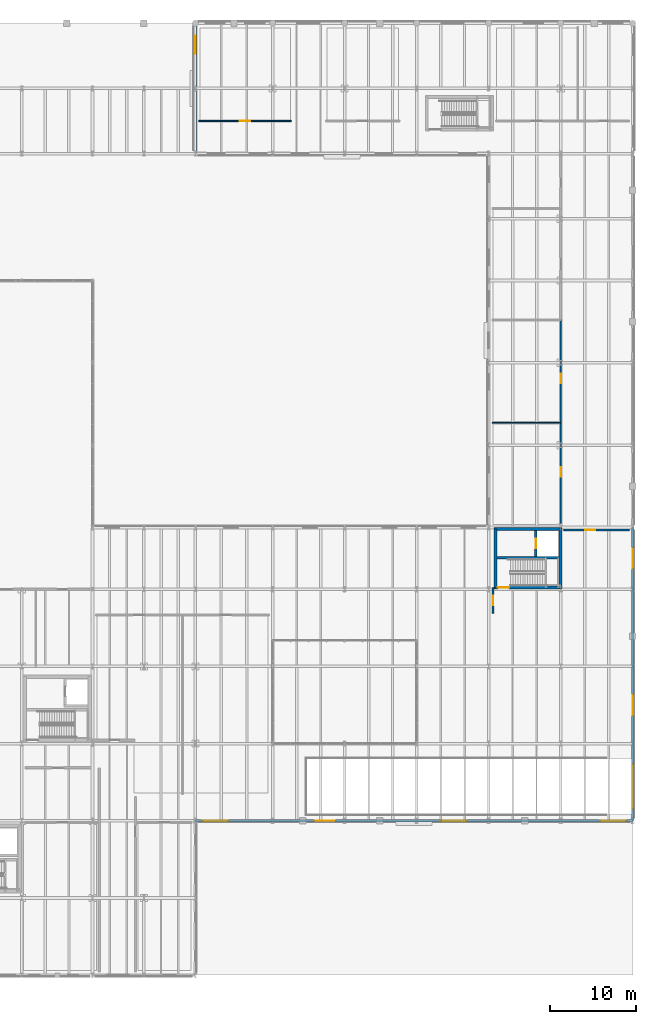
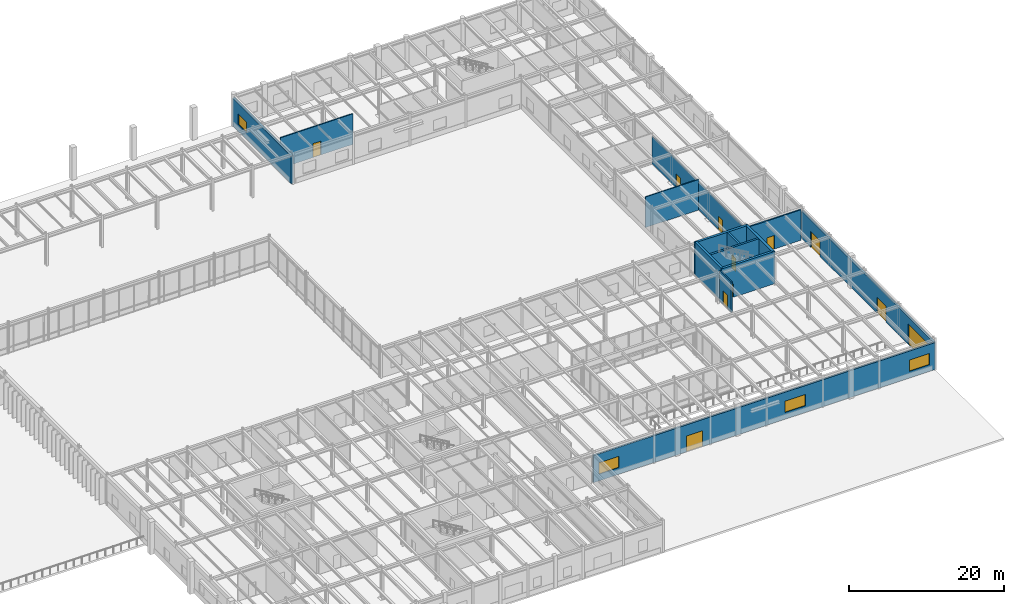
# One storey, part 45 of 64: 15 walls, 11 doors, 4 windows, 15 openings.
"""IFC4 building model written with IfcOpenShell, lengths in metres."""

import ifcopenshell
import ifcopenshell.guid

model = None  # the IFC model being written
_history = None  # IfcOwnerHistory: only IFC2X3 demands one
_inside = {}  # id of a spatial element -> (the spatial element, [elements in it])
_under = {}  # id of a project, library or spatial element -> (it, [spatial elements below it])
_declared = {}  # id of a project -> (the project, [libraries it declares])
_typed = {}  # id of a type object -> (the type object, [elements of that type])
_made_of = {}  # id of a material, layer set ... -> (it, [elements and type objects made of it])


def new_model(schema):
    """Start an empty IFC model of exactly this schema.

    Asked for "IFC4X3", IfcOpenShell would pick the latest addendum, in which some entities
    have other attributes; the version numbers below select the first issue.
    IFC2X3 requires an IfcOwnerHistory on every rooted entity: one is made here for all.
    """
    global model, _history
    if schema == "IFC4X3":
        model = ifcopenshell.file(schema_version=(4, 3, 0, 0))
    else:
        model = ifcopenshell.file(schema=schema)
    _inside.clear()
    _under.clear()
    _declared.clear()
    _typed.clear()
    _made_of.clear()
    _history = None
    if model.schema == "IFC2X3":
        org = make("IfcOrganization", Name="unknown")
        user = make(
            "IfcPersonAndOrganization",
            ThePerson=make("IfcPerson", FamilyName="unknown"),
            TheOrganization=org,
        )
        app = make(
            "IfcApplication",
            ApplicationDeveloper=org,
            Version="unknown",
            ApplicationFullName="unknown",
            ApplicationIdentifier="unknown",
        )
        _history = make(
            "IfcOwnerHistory",
            OwningUser=user,
            OwningApplication=app,
            ChangeAction="ADDED",
            CreationDate=0,
        )
    return model


def make(cls, **values):
    """One entity of the class cls with the attributes given. An attribute that is None is left unset."""
    return model.create_entity(
        cls, **{name: value for name, value in values.items() if value is not None}
    )


def rooted(cls, **values):
    """An entity with a GlobalId (a new one), such as an element, a storey or a relation."""
    return make(cls, GlobalId=ifcopenshell.guid.new(), OwnerHistory=_history, **values)


def si_unit(unit_type, name, prefix=None):
    """IfcSIUnit, for example si_unit("LENGTHUNIT", "METRE", prefix="MILLI")."""
    return make("IfcSIUnit", UnitType=unit_type, Prefix=prefix, Name=name)


def assignment(units):
    """IfcUnitAssignment: the units of a project."""
    return None if units is None else make("IfcUnitAssignment", Units=units)


def point(xyz):
    """IfcCartesianPoint."""
    return None if xyz is None else make("IfcCartesianPoint", Coordinates=xyz)


def direction(xyz):
    """IfcDirection."""
    return None if xyz is None else make("IfcDirection", DirectionRatios=xyz)


def frame(location, z_axis=None, x_axis=None):
    """IfcAxis2Placement3D, a coordinate frame: its origin and axes. An axis left out is left unset."""
    return make(
        "IfcAxis2Placement3D",
        Location=point(location),
        Axis=direction(z_axis),
        RefDirection=direction(x_axis),
    )


def frame_2d(location, x_axis=None):
    """IfcAxis2Placement2D, a coordinate frame in the plane: its origin and x axis."""
    return make(
        "IfcAxis2Placement2D", Location=point(location), RefDirection=direction(x_axis)
    )


def origin():
    """The frame at (0, 0, 0) with its axes left unset."""
    return frame((0.0, 0.0, 0.0))


def place(relative_to, where):
    """IfcLocalPlacement: puts the frame where relative to a parent placement (None: the world)."""
    return make(
        "IfcLocalPlacement", PlacementRelTo=relative_to, RelativePlacement=where
    )


def context(
    kind, dimensions, precision=None, world=None, true_north=None, identifier=None
):
    """IfcGeometricRepresentationContext, for example the 3D "Model" context."""
    return make(
        "IfcGeometricRepresentationContext",
        ContextIdentifier=identifier,
        ContextType=kind,
        CoordinateSpaceDimension=dimensions,
        Precision=precision,
        WorldCoordinateSystem=world,
        TrueNorth=true_north,
    )


def subcontext(parent, identifier, kind, view, scale=None):
    """IfcGeometricRepresentationSubContext, for example "Body" below "Model"."""
    return make(
        "IfcGeometricRepresentationSubContext",
        ContextIdentifier=identifier,
        ContextType=kind,
        ParentContext=parent,
        TargetScale=scale,
        TargetView=view,
    )


def project(units=None, contexts=None):
    """IfcProject with its units and contexts."""
    return rooted(
        "IfcProject",
        Name="project",
        RepresentationContexts=contexts,
        UnitsInContext=assignment(units),
    )


def spatial(cls, under=None, at=None, **own):
    """A site, building, storey or space (cls), placed at a placement, below another one or the project."""
    s = rooted(cls, ObjectPlacement=at, **own)
    if under is not None:
        _under.setdefault(under.id(), (under, []))[1].append(s)
    return s


def profile(cls, at=None, kind="AREA", **sizes):
    """A parametric profile (cls). Its sizes go by their IFC names, for example OverallWidth=200.0."""
    return make(cls, ProfileType=kind, Position=at, **sizes)


def rectangle(**sizes):
    """IfcRectangleProfileDef."""
    return profile("IfcRectangleProfileDef", **sizes)


def extrude(swept, where, along, depth):
    """IfcExtrudedAreaSolid: the profile swept, set in the frame where, extruded along a direction by depth."""
    return make(
        "IfcExtrudedAreaSolid",
        SweptArea=swept,
        Position=where,
        ExtrudedDirection=direction(along),
        Depth=depth,
    )


def shape(context_of_items, identifier, shape_type, items):
    """IfcShapeRepresentation: the items that make up one representation, for example the "Body"."""
    return make(
        "IfcShapeRepresentation",
        ContextOfItems=context_of_items,
        RepresentationIdentifier=identifier,
        RepresentationType=shape_type,
        Items=items,
    )


def material(Name=None, Category=None):
    """IfcMaterial."""
    return make("IfcMaterial", Name=Name, Category=Category)


def layer(
    of_material, thickness, ventilated=None, Name=None, Category=None, Priority=None
):
    """IfcMaterialLayer: one layer of a wall or slab, of a material (None: an air gap)."""
    return make(
        "IfcMaterialLayer",
        Material=of_material,
        LayerThickness=thickness,
        IsVentilated=ventilated,
        Name=Name,
        Category=Category,
        Priority=Priority,
    )


def layer_set(layers, Name=None):
    """IfcMaterialLayerSet."""
    return make("IfcMaterialLayerSet", MaterialLayers=layers, LayerSetName=Name)


def made_of(thing, what):
    """Note that an element or type object is made of a material, layer set ...; save() writes the relation."""
    if what is not None:
        _made_of.setdefault(what.id(), (what, []))[1].append(thing)
    return thing


def type_object(cls, material=None, **own):
    """A type object (cls), such as IfcWallType, which elements share."""
    return made_of(rooted(cls, **own), material)


def element(
    cls,
    number,
    at=None,
    inside=None,
    cuts=None,
    type_object=None,
    material=None,
    context=None,
    identifier="Body",
    shape_type=None,
    held_by="IfcProductDefinitionShape",
    body=None,
    shapes=None,
    **own,
):
    """One element of the class cls, such as IfcWall. Its Tag is "e" and its number.

    at: its placement. inside: the storey or other place that contains it. cuts: it is an
    opening in that element (IfcRelVoidsElement). A single representation is given by context,
    identifier, shape_type and body (its items); several are given by shapes. held_by: the class
    of the entity that holds the representations. save() writes the other relations.
    """
    e = rooted(cls, Tag="e%d" % number, ObjectPlacement=at, **own)
    if body is not None:
        shapes = [shape(context, identifier, shape_type, body)]
    if shapes is not None:
        e.Representation = make(held_by, Representations=shapes)
    if inside is not None:
        _inside.setdefault(inside.id(), (inside, []))[1].append(e)
    if cuts is not None:
        rooted(
            "IfcRelVoidsElement", RelatingBuildingElement=cuts, RelatedOpeningElement=e
        )
    if type_object is not None:
        _typed.setdefault(type_object.id(), (type_object, []))[1].append(e)
    return made_of(e, material)


def fill(opening, filler):
    """IfcRelFillsElement: the door or window that sits in an opening."""
    return rooted(
        "IfcRelFillsElement",
        RelatingOpeningElement=opening,
        RelatedBuildingElement=filler,
    )


def aggregate(whole, parts):
    """IfcRelAggregates: a whole, such as a stair, and the parts it consists of."""
    return rooted("IfcRelAggregates", RelatingObject=whole, RelatedObjects=parts)


def save(model, path):
    """Write the relations noted so far, then the file.

    IfcRelAggregates (storeys below a building ...), IfcRelContainedInSpatialStructure (elements
    in a storey), IfcRelDefinesByType, IfcRelAssociatesMaterial and IfcRelDeclares: one each for
    every whole, place, type object, material and project.
    """
    for whole, parts in _under.values():
        aggregate(whole, parts)
    for where, things in _inside.values():
        rooted(
            "IfcRelContainedInSpatialStructure",
            RelatedElements=things,
            RelatingStructure=where,
        )
    for kind, things in _typed.values():
        rooted("IfcRelDefinesByType", RelatedObjects=things, RelatingType=kind)
    for what, things in _made_of.values():
        rooted("IfcRelAssociatesMaterial", RelatedObjects=things, RelatingMaterial=what)
    for by, libraries in _declared.values():
        rooted("IfcRelDeclares", RelatingContext=by, RelatedDefinitions=libraries)
    model.write(path)


model = new_model("IFC4")

# Units and contexts
model_context = context("Model", 3, precision=1e-05, world=origin(), true_north=direction((0.0, 1.0)))
body_context = subcontext(model_context, "Body", "Model", "MODEL_VIEW")
ifc_project = project(units=[si_unit("LENGTHUNIT", "METRE"), si_unit("AREAUNIT", "SQUARE_METRE"), si_unit("VOLUMEUNIT", "CUBIC_METRE"), si_unit("PLANEANGLEUNIT", "RADIAN"), si_unit("MASSUNIT", "GRAM", prefix="KILO")], contexts=[model_context])

# Site, building, storey
site_placement = place(None, origin())
site = spatial("IfcSite", under=ifc_project, at=site_placement, CompositionType="ELEMENT")
building_placement = place(site_placement, origin())
building = spatial("IfcBuilding", under=site, at=building_placement, Name="Montealbar Specialist Clinic", CompositionType="ELEMENT")
storey_placement = place(building_placement, origin())
storey = spatial("IfcBuildingStorey", under=building, at=storey_placement, Name="L00", CompositionType="ELEMENT", Elevation=0.0)

# Wall
ifc_material_1 = material(Name="Concrete C35/45", Category="concrete")
ifc_layer_1 = layer(ifc_material_1, 0.300048828125, Name="Concrete C35/45", Category="concrete")
ifc_layer_set_1 = layer_set([ifc_layer_1], Name="Concrete C35/45")
wall_type_1 = type_object("IfcWallType", Name="WL-CORE-300", PredefinedType="SHEAR", material=ifc_layer_set_1)
wall_1_placement = place(storey_placement, frame((146.175048828125, 48.64990234375, 0.0), z_axis=(0.0, 0.0, 1.0), x_axis=(1.0, 0.0, 0.0)))
element("IfcWall", 1, at=wall_1_placement, inside=storey, type_object=wall_type_1, Name="Core C6 Stairwell Wall L00", PredefinedType="SHEAR", context=body_context, shape_type="SweptSolid", body=[
    extrude(rectangle(XDim=7.25, YDim=0.300048828125, at=frame_2d((3.625, 0.0))), origin(), (0.0, 0.0, 1.0), 5.10009765625),
])

# Wall, opening, door
wall_2_placement = place(storey_placement, frame((150.699951171875, 48.800048828125, 0.0), z_axis=(0.0, 0.0, 1.0), x_axis=(0.0, 1.0, 0.0)))
wall_2 = element("IfcWall", 2, at=wall_2_placement, inside=storey, type_object=wall_type_1, Name="Lift LF-04 Shaft Wall L00 LW", PredefinedType="SHEAR", context=body_context, shape_type="SweptSolid", body=[
    extrude(rectangle(XDim=3.02490234375, YDim=0.300048828125, at=frame_2d((1.512451171875, 0.0))), origin(), (0.0, 0.0, 1.0), 5.10009765625),
])
opening_1_placement = place(wall_2_placement, frame((0.962890625, 0.0, 0.0)))
opening_1 = element("IfcOpeningElement", 3, at=opening_1_placement, cuts=wall_2, Name="Opening LD-11", PredefinedType="OPENING", context=body_context, shape_type="SweptSolid", body=[
    extrude(rectangle(XDim=1.10009765625, YDim=2.14990234375, at=frame_2d((0.550048828125, 1.074951171875))), frame((0.0, 0.159912109375, 0.0), z_axis=(0.0, -1.0, 0.0), x_axis=(1.0, 0.0, 0.0)), (0.0, 0.0, 1.0), 0.320068359375),
])
ifc_material_2 = material(Name="Steel S355", Category="steel")
door_type_1 = type_object("IfcDoorType", Name="DR-LIFT-LD1100", OperationType="DOUBLE_DOOR_SLIDING", PredefinedType="DOOR", material=ifc_material_2)
door_1_placement = place(opening_1_placement, origin())
door_1 = element("IfcDoor", 4, at=door_1_placement, inside=storey, type_object=door_type_1, Name="Lift LF-04 Sliding Landing Door L00", OperationType="DOUBLE_DOOR_SLIDING", OverallHeight=2.14990234375, OverallWidth=1.10009765625, PredefinedType="DOOR", context=body_context, shape_type="SweptSolid", body=[
    extrude(rectangle(XDim=1.10009765625, YDim=2.14990234375, at=frame_2d((0.550048828125, 1.074951171875))), frame((0.0, 0.02490234375, 0.0), z_axis=(0.0, -1.0, 0.0), x_axis=(1.0, 0.0, 0.0)), (0.0, 0.0, 1.0), 0.050048828125),
])
fill(opening_1, door_1)

ifc_layer_2 = layer(ifc_material_1, 0.35009765625, Name="Concrete C35/45", Category="concrete")
ifc_layer_set_2 = layer_set([ifc_layer_2], Name="Concrete C35/45")
wall_type_2 = type_object("IfcWallType", Name="WL-CORE-350", PredefinedType="SHEAR", material=ifc_layer_set_2)
wall_3_placement = place(storey_placement, frame((145.824951171875, 45.199951171875, 0.0), z_axis=(0.0, 0.0, 1.0), x_axis=(1.0, 0.0, 0.0)))
wall_3 = element("IfcWall", 5, at=wall_3_placement, inside=storey, type_object=wall_type_2, Name="Core C6 Shear Wall L00 S", PredefinedType="SHEAR", context=body_context, shape_type="SweptSolid", body=[
    extrude(rectangle(XDim=7.949951171875, YDim=0.35009765625, at=frame_2d((3.97509765625, 0.0))), origin(), (0.0, 0.0, 1.0), 5.10009765625),
])
opening_2_placement = place(wall_3_placement, frame((0.449951171875, 0.0, 0.0)))
opening_2 = element("IfcOpeningElement", 6, at=opening_2_placement, cuts=wall_3, Name="Opening SD-13", PredefinedType="OPENING", context=body_context, shape_type="SweptSolid", body=[
    extrude(rectangle(XDim=1.300048828125, YDim=2.14990234375, at=frame_2d((0.64990234375, 1.074951171875))), frame((0.0, 0.18505859375, 0.0), z_axis=(0.0, -1.0, 0.0), x_axis=(1.0, 0.0, 0.0)), (0.0, 0.0, 1.0), 0.3701171875),
])
door_type_2 = type_object("IfcDoorType", Name="DR-STAIR-W1300", OperationType="NOTDEFINED", PredefinedType="DOOR", material=ifc_material_2)
door_2_placement = place(opening_2_placement, frame((1.300048828125, 0.0, 0.0), z_axis=(0.0, 0.0, 1.0), x_axis=(-1.0, 0.0, 0.0)))
door_2 = element("IfcDoor", 7, at=door_2_placement, inside=storey, type_object=door_type_2, Name="Protected Core C6 Stair Fire Door L00", OperationType="SINGLE_SWING_LEFT", OverallHeight=2.14990234375, OverallWidth=1.300048828125, PredefinedType="DOOR", context=body_context, shape_type="SweptSolid", body=[
    extrude(rectangle(XDim=1.300048828125, YDim=2.14990234375, at=frame_2d((0.64990234375, 1.074951171875))), frame((0.0, 0.02490234375, 0.0), z_axis=(0.0, -1.0, 0.0), x_axis=(1.0, 0.0, 0.0)), (0.0, 0.0, 1.0), 0.050048828125),
])
fill(opening_2, door_2)

# Walls
wall_4_placement = place(storey_placement, frame((145.824951171875, 52.0, 0.0), z_axis=(0.0, 0.0, 1.0), x_axis=(1.0, 0.0, 0.0)))
element("IfcWall", 8, at=wall_4_placement, inside=storey, type_object=wall_type_2, Name="Core C6 Shear Wall L00 N", PredefinedType="SHEAR", context=body_context, shape_type="SweptSolid", body=[
    extrude(rectangle(XDim=7.949951171875, YDim=0.35009765625, at=frame_2d((3.97509765625, 0.0))), origin(), (0.0, 0.0, 1.0), 5.10009765625),
])
for number, where, z_axis, x_axis, name in (
    (9, (146.0, 45.199951171875, 0.0), (0.0, 0.0, 1.0), (0.0, 1.0, 0.0), "Core C6 Shear Wall L00 W"),
    (10, (153.60009765625, 45.199951171875, 0.0), (0.0, 0.0, 1.0), (0.0, 1.0, 0.0), "Core C6 Shear Wall L00 E"),
):
    element("IfcWall", number, at=place(storey_placement, frame(where, z_axis=z_axis, x_axis=x_axis)), inside=storey, type_object=wall_type_2, Name=name, PredefinedType="SHEAR", context=body_context, shape_type="SweptSolid", body=[
        extrude(rectangle(XDim=6.800048828125, YDim=0.35009765625, at=frame_2d((3.39990234375, 0.0))), origin(), (0.0, 0.0, 1.0), 5.10009765625),
    ])

# Wall, opening, window
ifc_material_3 = material(Name="Guadarrama granite ashlar", Category="masonry")
ifc_layer_3 = layer(ifc_material_3, 0.35009765625, Name="Guadarrama granite ashlar", Category="masonry")
ifc_layer_set_3 = layer_set([ifc_layer_3], Name="Guadarrama granite ashlar")
wall_type_3 = type_object("IfcWallType", Name="WL-EXT-GRANITE-350", PredefinedType="SOLIDWALL", material=ifc_layer_set_3)
wall_5_placement = place(storey_placement, frame((111.0, 95.800048828125, 0.0), z_axis=(0.0, 0.0, 1.0), x_axis=(0.0, 1.0, 0.0)))
wall_5 = element("IfcWall", 11, at=wall_5_placement, inside=storey, type_object=wall_type_3, Name="Exterior Facade Wall EW-L00-007", PredefinedType="SOLIDWALL", context=body_context, shape_type="SweptSolid", body=[
    extrude(rectangle(XDim=15.199951171875, YDim=0.35009765625, at=frame_2d((7.60009765625, 0.0))), origin(), (0.0, 0.0, 1.0), 4.360107421875),
])
opening_3_placement = place(wall_5_placement, frame((11.616943359375, 0.0, 1.050048828125)))
opening_3 = element("IfcOpeningElement", 12, at=opening_3_placement, cuts=wall_5, Name="Opening WN-07", PredefinedType="OPENING", context=body_context, shape_type="SweptSolid", body=[
    extrude(rectangle(XDim=2.10009765625, YDim=1.699951171875, at=frame_2d((1.050048828125, 0.85009765625))), frame((0.0, 0.18505859375, 0.0), z_axis=(0.0, -1.0, 0.0), x_axis=(1.0, 0.0, 0.0)), (0.0, 0.0, 1.0), 0.3701171875),
])
ifc_material_4 = material(Name="Low-E double glazing", Category="glass")
window_type_1 = type_object("IfcWindowType", Name="WIN-WN-07", PartitioningType="SINGLE_PANEL", PredefinedType="WINDOW", material=ifc_material_4)
window_1_placement = place(opening_3_placement, origin())
window_1 = element("IfcWindow", 13, at=window_1_placement, inside=storey, type_object=window_type_1, Name="Clinical Facade Window WN-07 L00-0027", OverallHeight=1.699951171875, OverallWidth=2.10009765625, PartitioningType="SINGLE_PANEL", PredefinedType="WINDOW", context=body_context, shape_type="SweptSolid", body=[
    extrude(rectangle(XDim=2.10009765625, YDim=1.699951171875, at=frame_2d((1.050048828125, 0.85009765625))), frame((0.0, 0.030029296875, 0.0), z_axis=(0.0, -1.0, 0.0), x_axis=(1.0, 0.0, 0.0)), (0.0, 0.0, 1.0), 0.06005859375),
])
fill(opening_3, window_1)

# Wall, openings, doors
ifc_material_5 = material(Name="Terracotta architectural cladding", Category="masonry")
ifc_layer_4 = layer(ifc_material_5, 0.260009765625, Name="Terracotta architectural cladding", Category="masonry")
ifc_layer_set_4 = layer_set([ifc_layer_4], Name="Terracotta architectural cladding")
wall_type_4 = type_object("IfcWallType", Name="WL-EXT-TERRA-260", PredefinedType="SOLIDWALL", material=ifc_layer_set_4)
wall_6_placement = place(storey_placement, frame((162.0, 52.199951171875, 0.0), z_axis=(0.0, 0.0, 1.0), x_axis=(0.0, -1.0, 0.0)))
wall_6 = element("IfcWall", 14, at=wall_6_placement, inside=storey, type_object=wall_type_4, Name="Exterior Facade Wall EW-L00-011", PredefinedType="SOLIDWALL", context=body_context, shape_type="SweptSolid", body=[
    extrude(rectangle(XDim=34.199951171875, YDim=0.260009765625, at=frame_2d((17.10009765625, 0.0))), origin(), (0.0, 0.0, 1.0), 4.31005859375),
])
opening_4_placement = place(wall_6_placement, frame((27.60009765625, 0.0, 0.0)))
opening_4 = element("IfcOpeningElement", 15, at=opening_4_placement, cuts=wall_6, Name="Opening GD-01", PredefinedType="OPENING", context=body_context, shape_type="SweptSolid", body=[
    extrude(rectangle(XDim=5.199951171875, YDim=3.199951171875, at=frame_2d((2.60009765625, 1.60009765625))), frame((0.0, 0.139892578125, 0.0), z_axis=(0.0, -1.0, 0.0), x_axis=(1.0, 0.0, 0.0)), (0.0, 0.0, 1.0), 0.280029296875),
])
opening_5_placement = place(wall_6_placement, frame((19.5, 0.0, 0.0)))
opening_5 = element("IfcOpeningElement", 16, at=opening_5_placement, cuts=wall_6, Name="Opening ED-24", PredefinedType="OPENING", context=body_context, shape_type="SweptSolid", body=[
    extrude(rectangle(XDim=2.39990234375, YDim=2.5, at=frame_2d((1.199951171875, 1.25))), frame((0.0, 0.139892578125, 0.0), z_axis=(0.0, -1.0, 0.0), x_axis=(1.0, 0.0, 0.0)), (0.0, 0.0, 1.0), 0.280029296875),
])
opening_6_placement = place(wall_6_placement, frame((2.39990234375, 0.0, 0.0)))
opening_6 = element("IfcOpeningElement", 17, at=opening_6_placement, cuts=wall_6, Name="Opening ED-24", PredefinedType="OPENING", context=body_context, shape_type="SweptSolid", body=[
    extrude(rectangle(XDim=2.39990234375, YDim=2.5, at=frame_2d((1.199951171875, 1.25))), frame((0.0, 0.139892578125, 0.0), z_axis=(0.0, -1.0, 0.0), x_axis=(1.0, 0.0, 0.0)), (0.0, 0.0, 1.0), 0.280029296875),
])
ifc_material_6 = material(Name="Powder-coated aluminium", Category="aluminium")
door_type_3 = type_object("IfcDoorType", Name="DR-PLAZA-W2400", OperationType="DOUBLE_DOOR_SINGLE_SWING", PredefinedType="DOOR", material=ifc_material_6)
door_3_placement = place(opening_5_placement, origin())
door_3 = element("IfcDoor", 18, at=door_3_placement, inside=storey, type_object=door_type_3, Name="South-East Sports Clinic Exit Door EX-07A", OperationType="DOUBLE_DOOR_SINGLE_SWING", OverallHeight=2.5, OverallWidth=2.39990234375, PredefinedType="DOOR", context=body_context, shape_type="SweptSolid", body=[
    extrude(rectangle(XDim=2.39990234375, YDim=2.5, at=frame_2d((1.199951171875, 1.25))), frame((0.0, 0.02490234375, 0.0), z_axis=(0.0, -1.0, 0.0), x_axis=(1.0, 0.0, 0.0)), (0.0, 0.0, 1.0), 0.050048828125),
])
fill(opening_5, door_3)
door_4_placement = place(opening_6_placement, origin())
door_4 = element("IfcDoor", 19, at=door_4_placement, inside=storey, type_object=door_type_3, Name="East Core C6 Final Exit Door EX-07B", OperationType="DOUBLE_DOOR_SINGLE_SWING", OverallHeight=2.5, OverallWidth=2.39990234375, PredefinedType="DOOR", context=body_context, shape_type="SweptSolid", body=[
    extrude(rectangle(XDim=2.39990234375, YDim=2.5, at=frame_2d((1.199951171875, 1.25))), frame((0.0, 0.02490234375, 0.0), z_axis=(0.0, -1.0, 0.0), x_axis=(1.0, 0.0, 0.0)), (0.0, 0.0, 1.0), 0.050048828125),
])
fill(opening_6, door_4)
door_type_4 = type_object("IfcDoorType", Name="DR-SHUTTER-GD01", OperationType="ROLLINGUP", PredefinedType="DOOR", material=ifc_material_6)
door_5_placement = place(opening_4_placement, origin())
door_5 = element("IfcDoor", 20, at=door_5_placement, inside=storey, type_object=door_type_4, Name="Basement Vehicle Ramp Roller Shutter GD-01", OperationType="ROLLINGUP", OverallHeight=3.199951171875, OverallWidth=5.199951171875, PredefinedType="DOOR", context=body_context, shape_type="SweptSolid", body=[
    extrude(rectangle(XDim=5.199951171875, YDim=3.199951171875, at=frame_2d((2.60009765625, 1.60009765625))), frame((0.0, 0.02490234375, 0.0), z_axis=(0.0, -1.0, 0.0), x_axis=(1.0, 0.0, 0.0)), (0.0, 0.0, 1.0), 0.050048828125),
])
fill(opening_4, door_5)

# Wall, openings, door, windows
wall_7_placement = place(storey_placement, frame((162.0, 18.0, 0.0), z_axis=(0.0, 0.0, 1.0), x_axis=(-1.0, 0.0, 0.0)))
wall_7 = element("IfcWall", 21, at=wall_7_placement, inside=storey, type_object=wall_type_4, Name="Exterior Facade Wall EW-L00-012", PredefinedType="SOLIDWALL", context=body_context, shape_type="SweptSolid", body=[
    extrude(rectangle(XDim=51.0, YDim=0.260009765625, at=frame_2d((25.5, 0.0))), origin(), (0.0, 0.0, 1.0), 4.260009765625),
])
opening_7_placement = place(wall_7_placement, frame((34.699951171875, 0.0, 0.0)))
opening_7 = element("IfcOpeningElement", 22, at=opening_7_placement, cuts=wall_7, Name="Opening ED-24", PredefinedType="OPENING", context=body_context, shape_type="SweptSolid", body=[
    extrude(rectangle(XDim=2.39990234375, YDim=2.5, at=frame_2d((1.199951171875, 1.25))), frame((0.0, 0.139892578125, 0.0), z_axis=(0.0, -1.0, 0.0), x_axis=(1.0, 0.0, 0.0)), (0.0, 0.0, 1.0), 0.280029296875),
])
opening_8_placement = place(wall_7_placement, frame((0.818115234375, 0.0, 1.050048828125)))
opening_8 = element("IfcOpeningElement", 23, at=opening_8_placement, cuts=wall_7, Name="Opening WN-12", PredefinedType="OPENING", context=body_context, shape_type="SweptSolid", body=[
    extrude(rectangle(XDim=3.0, YDim=1.800048828125, at=frame_2d((1.5, 0.89990234375))), frame((0.0, 0.139892578125, 0.0), z_axis=(0.0, -1.0, 0.0), x_axis=(1.0, 0.0, 0.0)), (0.0, 0.0, 1.0), 0.280029296875),
])
opening_9_placement = place(wall_7_placement, frame((19.364013671875, 0.0, 1.050048828125)))
opening_9 = element("IfcOpeningElement", 24, at=opening_9_placement, cuts=wall_7, Name="Opening WN-12", PredefinedType="OPENING", context=body_context, shape_type="SweptSolid", body=[
    extrude(rectangle(XDim=3.0, YDim=1.800048828125, at=frame_2d((1.5, 0.89990234375))), frame((0.0, 0.139892578125, 0.0), z_axis=(0.0, -1.0, 0.0), x_axis=(1.0, 0.0, 0.0)), (0.0, 0.0, 1.0), 0.280029296875),
])
opening_10_placement = place(wall_7_placement, frame((47.181884765625, 0.0, 1.050048828125)))
opening_10 = element("IfcOpeningElement", 25, at=opening_10_placement, cuts=wall_7, Name="Opening WN-12", PredefinedType="OPENING", context=body_context, shape_type="SweptSolid", body=[
    extrude(rectangle(XDim=3.0, YDim=1.800048828125, at=frame_2d((1.5, 0.89990234375))), frame((0.0, 0.139892578125, 0.0), z_axis=(0.0, -1.0, 0.0), x_axis=(1.0, 0.0, 0.0)), (0.0, 0.0, 1.0), 0.280029296875),
])
door_6_placement = place(opening_7_placement, origin())
door_6 = element("IfcDoor", 26, at=door_6_placement, inside=storey, type_object=door_type_3, Name="South-East Courtyard Entrance Portal", OperationType="DOUBLE_DOOR_SINGLE_SWING", OverallHeight=2.5, OverallWidth=2.39990234375, PredefinedType="DOOR", context=body_context, shape_type="SweptSolid", body=[
    extrude(rectangle(XDim=2.39990234375, YDim=2.5, at=frame_2d((1.199951171875, 1.25))), frame((0.0, 0.02490234375, 0.0), z_axis=(0.0, -1.0, 0.0), x_axis=(1.0, 0.0, 0.0)), (0.0, 0.0, 1.0), 0.050048828125),
])
fill(opening_7, door_6)
window_type_2 = type_object("IfcWindowType", Name="WIN-WN-12", PartitioningType="SINGLE_PANEL", PredefinedType="WINDOW", material=ifc_material_4)
window_2_placement = place(opening_8_placement, origin())
window_2 = element("IfcWindow", 27, at=window_2_placement, inside=storey, type_object=window_type_2, Name="Clinical Facade Window WN-12 L00-0038", OverallHeight=1.800048828125, OverallWidth=3.0, PartitioningType="SINGLE_PANEL", PredefinedType="WINDOW", context=body_context, shape_type="SweptSolid", body=[
    extrude(rectangle(XDim=3.0, YDim=1.800048828125, at=frame_2d((1.5, 0.89990234375))), frame((0.0, 0.030029296875, 0.0), z_axis=(0.0, -1.0, 0.0), x_axis=(1.0, 0.0, 0.0)), (0.0, 0.0, 1.0), 0.06005859375),
])
fill(opening_8, window_2)
window_3_placement = place(opening_9_placement, origin())
window_3 = element("IfcWindow", 28, at=window_3_placement, inside=storey, type_object=window_type_2, Name="Clinical Facade Window WN-12 L00-0039", OverallHeight=1.800048828125, OverallWidth=3.0, PartitioningType="SINGLE_PANEL", PredefinedType="WINDOW", context=body_context, shape_type="SweptSolid", body=[
    extrude(rectangle(XDim=3.0, YDim=1.800048828125, at=frame_2d((1.5, 0.89990234375))), frame((0.0, 0.030029296875, 0.0), z_axis=(0.0, -1.0, 0.0), x_axis=(1.0, 0.0, 0.0)), (0.0, 0.0, 1.0), 0.06005859375),
])
fill(opening_9, window_3)
window_4_placement = place(opening_10_placement, origin())
window_4 = element("IfcWindow", 29, at=window_4_placement, inside=storey, type_object=window_type_2, Name="Clinical Facade Window WN-12 L00-0040", OverallHeight=1.800048828125, OverallWidth=3.0, PartitioningType="SINGLE_PANEL", PredefinedType="WINDOW", context=body_context, shape_type="SweptSolid", body=[
    extrude(rectangle(XDim=3.0, YDim=1.800048828125, at=frame_2d((1.5, 0.89990234375))), frame((0.0, 0.030029296875, 0.0), z_axis=(0.0, -1.0, 0.0), x_axis=(1.0, 0.0, 0.0)), (0.0, 0.0, 1.0), 0.06005859375),
])
fill(opening_10, window_4)

# Wall
ifc_material_7 = material(Name="Gypsum acoustic partition", Category="gypsum")
ifc_layer_5 = layer(ifc_material_7, 0.139892578125, Name="Gypsum acoustic partition", Category="gypsum")
ifc_layer_set_5 = layer_set([ifc_layer_5], Name="Gypsum acoustic partition")
wall_type_5 = type_object("IfcWallType", Name="WL-PART-ACOUSTIC-140", PredefinedType="PARTITIONING", material=ifc_layer_set_5)
wall_8_placement = place(storey_placement, frame((145.60009765625, 64.39990234375, 0.0), z_axis=(0.0, 0.0, 1.0), x_axis=(1.0, 0.0, 0.0)))
element("IfcWall", 30, at=wall_8_placement, inside=storey, type_object=wall_type_5, Name="Clinical Partition PART-L00-0065", PredefinedType="PARTITIONING", context=body_context, shape_type="SweptSolid", body=[
    extrude(rectangle(XDim=8.0, YDim=0.139892578125, at=frame_2d((4.0, 0.0))), origin(), (0.0, 0.0, 1.0), 4.820068359375),
])

# Wall, opening, door
ifc_layer_6 = layer(ifc_material_7, 0.159912109375, Name="Gypsum acoustic partition", Category="gypsum")
ifc_layer_set_6 = layer_set([ifc_layer_6], Name="Gypsum acoustic partition")
wall_type_6 = type_object("IfcWallType", Name="WL-PART-CLINIC-160", PredefinedType="PARTITIONING", material=ifc_layer_set_6)
wall_9_placement = place(storey_placement, frame((111.39990234375, 99.60009765625, 0.0), z_axis=(0.0, 0.0, 1.0), x_axis=(1.0, 0.0, 0.0)))
wall_9 = element("IfcWall", 31, at=wall_9_placement, inside=storey, type_object=wall_type_6, Name="Clinical Partition PART-L00-0033", PredefinedType="PARTITIONING", context=body_context, shape_type="SweptSolid", body=[
    extrude(rectangle(XDim=10.800048828125, YDim=0.159912109375, at=frame_2d((5.39990234375, 0.0))), origin(), (0.0, 0.0, 1.0), 4.820068359375),
])
opening_11_placement = place(wall_9_placement, frame((4.800048828125, 0.0, 0.0)))
opening_11 = element("IfcOpeningElement", 32, at=opening_11_placement, cuts=wall_9, Name="Opening ID-120", PredefinedType="OPENING", context=body_context, shape_type="SweptSolid", body=[
    extrude(rectangle(XDim=1.199951171875, YDim=2.199951171875, at=frame_2d((0.60009765625, 1.10009765625))), frame((0.0, 0.08984375, 0.0), z_axis=(0.0, -1.0, 0.0), x_axis=(1.0, 0.0, 0.0)), (0.0, 0.0, 1.0), 0.179931640625),
])
ifc_material_8 = material(Name="Acoustic timber leaf", Category="wood")
door_type_5 = type_object("IfcDoorType", Name="DR-CLIN-W1200", OperationType="NOTDEFINED", PredefinedType="DOOR", material=ifc_material_8)
door_7_placement = place(opening_11_placement, frame((1.199951171875, 0.0, 0.0), z_axis=(0.0, 0.0, 1.0), x_axis=(-1.0, 0.0, 0.0)))
door_7 = element("IfcDoor", 33, at=door_7_placement, inside=storey, type_object=door_type_5, Name="Clinical Room Door IDR-L00-0022", OperationType="SINGLE_SWING_RIGHT", OverallHeight=2.199951171875, OverallWidth=1.199951171875, PredefinedType="DOOR", context=body_context, shape_type="SweptSolid", body=[
    extrude(rectangle(XDim=1.199951171875, YDim=2.199951171875, at=frame_2d((0.60009765625, 1.10009765625))), frame((0.0, 0.02490234375, 0.0), z_axis=(0.0, -1.0, 0.0), x_axis=(1.0, 0.0, 0.0)), (0.0, 0.0, 1.0), 0.050048828125),
])
fill(opening_11, door_7)

wall_10_placement = place(storey_placement, frame((153.60009765625, 52.679931640625, 0.0), z_axis=(0.0, 0.0, 1.0), x_axis=(0.0, 1.0, 0.0)))
wall_10 = element("IfcWall", 34, at=wall_10_placement, inside=storey, type_object=wall_type_6, Name="Clinical Partition PART-L00-0064", PredefinedType="PARTITIONING", context=body_context, shape_type="SweptSolid", body=[
    extrude(rectangle(XDim=11.719970703125, YDim=0.159912109375, at=frame_2d((5.85986328125, 0.0))), origin(), (0.0, 0.0, 1.0), 4.31005859375),
])
opening_12_placement = place(wall_10_placement, frame((5.449951171875, 0.0, 0.0)))
opening_12 = element("IfcOpeningElement", 35, at=opening_12_placement, cuts=wall_10, Name="Opening ID-110", PredefinedType="OPENING", context=body_context, shape_type="SweptSolid", body=[
    extrude(rectangle(XDim=1.10009765625, YDim=2.14990234375, at=frame_2d((0.550048828125, 1.074951171875))), frame((0.0, 0.08984375, 0.0), z_axis=(0.0, -1.0, 0.0), x_axis=(1.0, 0.0, 0.0)), (0.0, 0.0, 1.0), 0.179931640625),
])
door_type_6 = type_object("IfcDoorType", Name="DR-CLIN-W1100", OperationType="NOTDEFINED", PredefinedType="DOOR", material=ifc_material_8)
door_8_placement = place(opening_12_placement, frame((1.10009765625, 0.0, 0.0), z_axis=(0.0, 0.0, 1.0), x_axis=(-1.0, 0.0, 0.0)))
door_8 = element("IfcDoor", 36, at=door_8_placement, inside=storey, type_object=door_type_6, Name="Clinical Room Door IDR-L00-0045", OperationType="SINGLE_SWING_LEFT", OverallHeight=2.14990234375, OverallWidth=1.10009765625, PredefinedType="DOOR", context=body_context, shape_type="SweptSolid", body=[
    extrude(rectangle(XDim=1.10009765625, YDim=2.14990234375, at=frame_2d((0.550048828125, 1.074951171875))), frame((0.0, 0.02490234375, 0.0), z_axis=(0.0, -1.0, 0.0), x_axis=(1.0, 0.0, 0.0)), (0.0, 0.0, 1.0), 0.050048828125),
])
fill(opening_12, door_8)

wall_11_placement = place(storey_placement, frame((153.60009765625, 64.39990234375, 0.0), z_axis=(0.0, 0.0, 1.0), x_axis=(0.0, 1.0, 0.0)))
wall_11 = element("IfcWall", 37, at=wall_11_placement, inside=storey, type_object=wall_type_6, Name="Clinical Partition PART-L00-0066", PredefinedType="PARTITIONING", context=body_context, shape_type="SweptSolid", body=[
    extrude(rectangle(XDim=12.0, YDim=0.159912109375, at=frame_2d((6.0, 0.0))), origin(), (0.0, 0.0, 1.0), 4.31005859375),
])
opening_13_placement = place(wall_11_placement, frame((4.64208984375, 0.0, 0.0)))
opening_13 = element("IfcOpeningElement", 38, at=opening_13_placement, cuts=wall_11, Name="Opening ID-110", PredefinedType="OPENING", context=body_context, shape_type="SweptSolid", body=[
    extrude(rectangle(XDim=1.10009765625, YDim=2.14990234375, at=frame_2d((0.550048828125, 1.074951171875))), frame((0.0, 0.08984375, 0.0), z_axis=(0.0, -1.0, 0.0), x_axis=(1.0, 0.0, 0.0)), (0.0, 0.0, 1.0), 0.179931640625),
])
door_9_placement = place(opening_13_placement, frame((1.10009765625, 0.0, 0.0), z_axis=(0.0, 0.0, 1.0), x_axis=(-1.0, 0.0, 0.0)))
door_9 = element("IfcDoor", 39, at=door_9_placement, inside=storey, type_object=door_type_6, Name="Clinical Room Door IDR-L00-0046", OperationType="SINGLE_SWING_RIGHT", OverallHeight=2.14990234375, OverallWidth=1.10009765625, PredefinedType="DOOR", context=body_context, shape_type="SweptSolid", body=[
    extrude(rectangle(XDim=1.10009765625, YDim=2.14990234375, at=frame_2d((0.550048828125, 1.074951171875))), frame((0.0, 0.02490234375, 0.0), z_axis=(0.0, -1.0, 0.0), x_axis=(1.0, 0.0, 0.0)), (0.0, 0.0, 1.0), 0.050048828125),
])
fill(opening_13, door_9)

ifc_material_9 = material(Name="Concrete C30/37", Category="concrete")
ifc_layer_7 = layer(ifc_material_9, 0.199951171875, Name="Concrete C30/37", Category="concrete")
ifc_layer_set_7 = layer_set([ifc_layer_7], Name="Concrete C30/37")
wall_type_7 = type_object("IfcWallType", Name="WL-PART-FIRE-200", PredefinedType="PARTITIONING", material=ifc_layer_set_7)
wall_12_placement = place(storey_placement, frame((145.699951171875, 42.199951171875, 0.0), z_axis=(0.0, 0.0, 1.0), x_axis=(0.0, 1.0, 0.0)))
wall_12 = element("IfcWall", 40, at=wall_12_placement, inside=storey, type_object=wall_type_7, Name="Clinical Partition PART-L00-0045", PredefinedType="PARTITIONING", context=body_context, shape_type="SweptSolid", body=[
    extrude(rectangle(XDim=2.949951171875, YDim=0.199951171875, at=frame_2d((1.47509765625, 0.0))), origin(), (0.0, 0.0, 1.0), 4.820068359375),
])
opening_14_placement = place(wall_12_placement, frame((0.925048828125, 0.0, 0.0)))
opening_14 = element("IfcOpeningElement", 41, at=opening_14_placement, cuts=wall_12, Name="Opening FD-110", PredefinedType="OPENING", context=body_context, shape_type="SweptSolid", body=[
    extrude(rectangle(XDim=1.1201171875, YDim=2.14990234375, at=frame_2d((0.56005859375, 1.074951171875))), frame((0.0, 0.10986328125, 0.0), z_axis=(0.0, -1.0, 0.0), x_axis=(1.0, 0.0, 0.0)), (0.0, 0.0, 1.0), 0.219970703125),
])
door_type_7 = type_object("IfcDoorType", Name="DR-FIRE-W1100", OperationType="NOTDEFINED", PredefinedType="DOOR", material=ifc_material_2)
door_10_placement = place(opening_14_placement, origin())
door_10 = element("IfcDoor", 42, at=door_10_placement, inside=storey, type_object=door_type_7, Name="Clinical Room Door IDR-L00-0032", OperationType="SINGLE_SWING_RIGHT", OverallHeight=2.14990234375, OverallWidth=1.1201171875, PredefinedType="DOOR", context=body_context, shape_type="SweptSolid", body=[
    extrude(rectangle(XDim=1.1201171875, YDim=2.14990234375, at=frame_2d((0.56005859375, 1.074951171875))), frame((0.0, 0.02490234375, 0.0), z_axis=(0.0, -1.0, 0.0), x_axis=(1.0, 0.0, 0.0)), (0.0, 0.0, 1.0), 0.050048828125),
])
fill(opening_14, door_10)

wall_13_placement = place(storey_placement, frame((153.97998046875, 51.89990234375, 0.0), z_axis=(0.0, 0.0, 1.0), x_axis=(1.0, 0.0, 0.0)))
wall_13 = element("IfcWall", 43, at=wall_13_placement, inside=storey, type_object=wall_type_7, Name="Clinical Partition PART-L00-0046", PredefinedType="PARTITIONING", context=body_context, shape_type="SweptSolid", body=[
    extrude(rectangle(XDim=7.6201171875, YDim=0.199951171875, at=frame_2d((3.81005859375, 0.0))), origin(), (0.0, 0.0, 1.0), 4.820068359375),
])
opening_15_placement = place(wall_13_placement, frame((2.5, 0.0, 0.0)))
opening_15 = element("IfcOpeningElement", 44, at=opening_15_placement, cuts=wall_13, Name="Opening FD-110", PredefinedType="OPENING", context=body_context, shape_type="SweptSolid", body=[
    extrude(rectangle(XDim=1.1201171875, YDim=2.14990234375, at=frame_2d((0.56005859375, 1.074951171875))), frame((0.0, 0.10986328125, 0.0), z_axis=(0.0, -1.0, 0.0), x_axis=(1.0, 0.0, 0.0)), (0.0, 0.0, 1.0), 0.219970703125),
])
door_11_placement = place(opening_15_placement, origin())
door_11 = element("IfcDoor", 45, at=door_11_placement, inside=storey, type_object=door_type_7, Name="Clinical Room Door IDR-L00-0033", OperationType="SINGLE_SWING_LEFT", OverallHeight=2.14990234375, OverallWidth=1.1201171875, PredefinedType="DOOR", context=body_context, shape_type="SweptSolid", body=[
    extrude(rectangle(XDim=1.1201171875, YDim=2.14990234375, at=frame_2d((0.56005859375, 1.074951171875))), frame((0.0, 0.02490234375, 0.0), z_axis=(0.0, -1.0, 0.0), x_axis=(1.0, 0.0, 0.0)), (0.0, 0.0, 1.0), 0.050048828125),
])
fill(opening_15, door_11)

save(model, "model.ifc")
